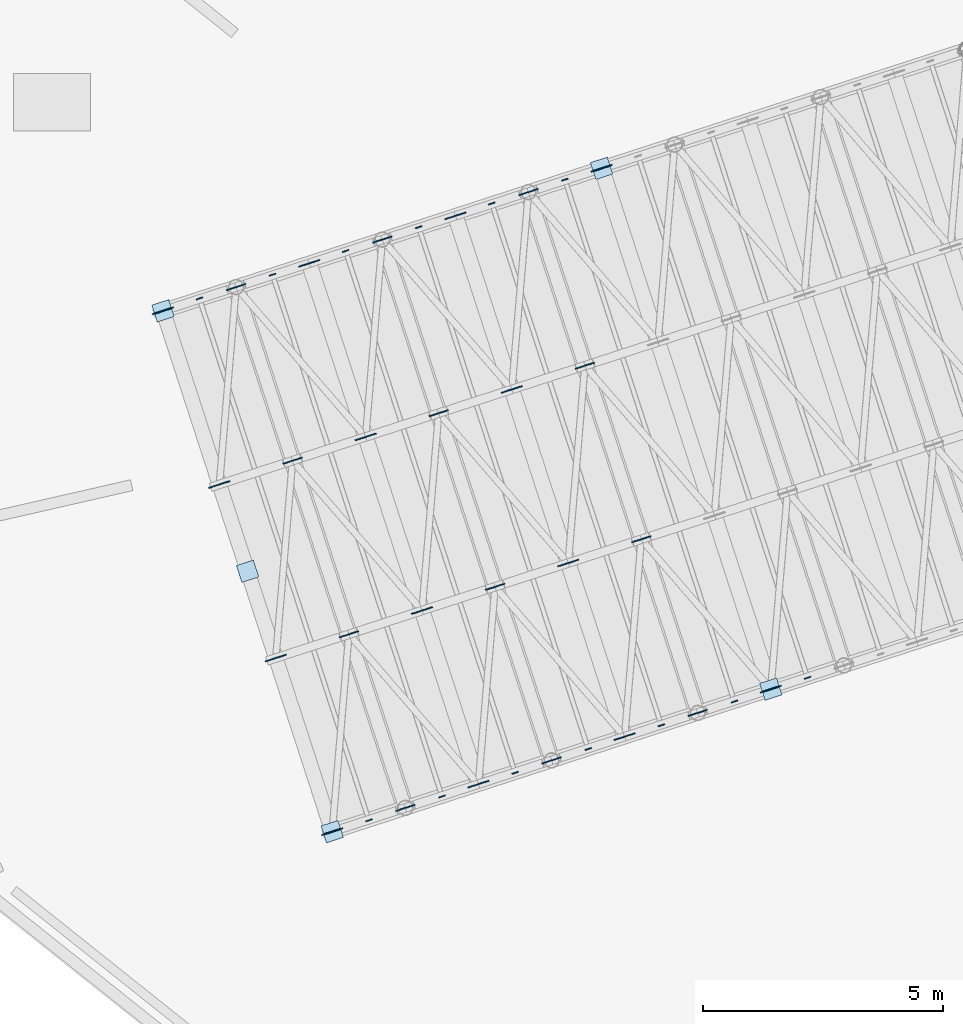
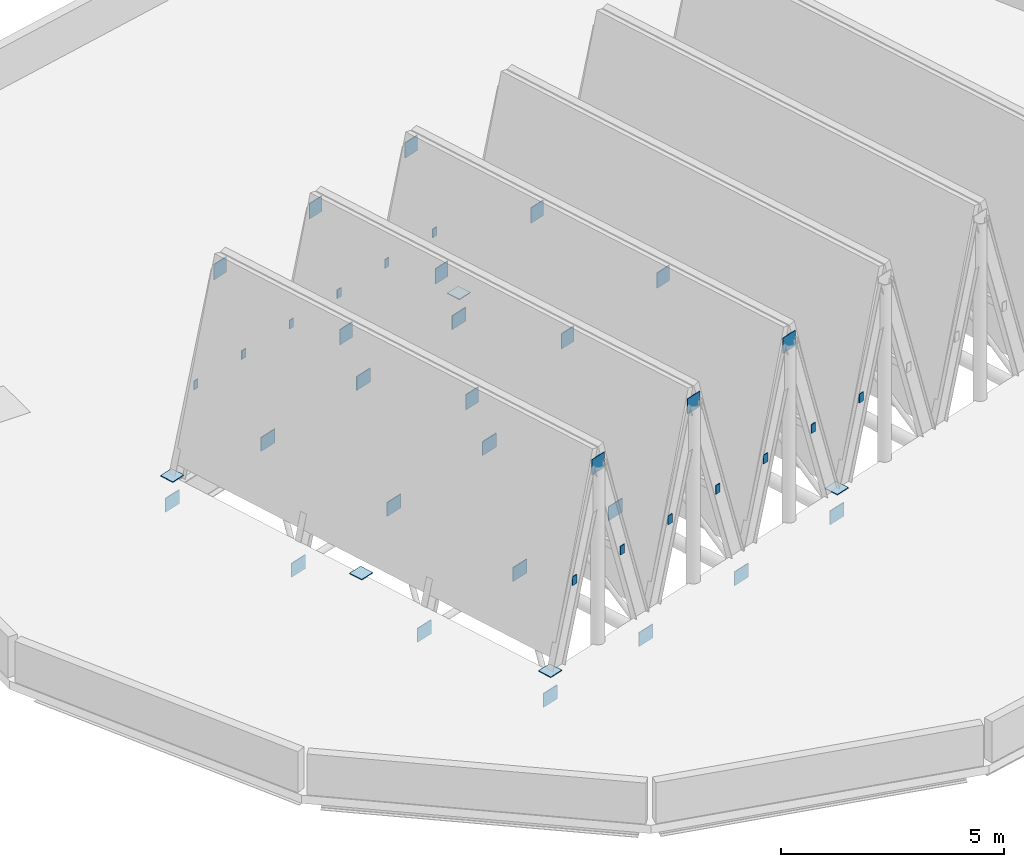
# One storey, part 22 of 51: 44 plates.
"""IFC4 building model written with IfcOpenShell, lengths in metres."""

from ifc_helpers import new_model, si_unit, direction, frame, origin, origin_2d, place, context, subcontext, project, spatial, rectangle, extrude, material, layer, layer_set, type_object, element, save


model = new_model("IFC4")

# Units and contexts
model_context = context("Model", 3, precision=1e-05, world=origin(), true_north=direction((0.0, 1.0)))
body_context = subcontext(model_context, "Body", "Model", "MODEL_VIEW")
ifc_project = project(units=[si_unit("LENGTHUNIT", "METRE"), si_unit("AREAUNIT", "SQUARE_METRE"), si_unit("VOLUMEUNIT", "CUBIC_METRE"), si_unit("PLANEANGLEUNIT", "RADIAN"), si_unit("MASSUNIT", "GRAM", prefix="KILO")], contexts=[model_context])

# Site, building, storey
site_placement = place(None, origin())
site = spatial("IfcSite", under=ifc_project, at=site_placement, CompositionType="ELEMENT")
building_placement = place(site_placement, origin())
building = spatial("IfcBuilding", under=site, at=building_placement, Name="Wrenclough Park School", CompositionType="ELEMENT")
storey_placement = place(building_placement, frame((0.0, 0.0, 16.800048828125)))
storey = spatial("IfcBuildingStorey", under=building, at=storey_placement, Name="L04", CompositionType="ELEMENT", Elevation=16.800048828125)

# Plates
ifc_material = material(Name="Structural steel S355", Category="steel")
ifc_layer_1 = layer(ifc_material, 0.239990234375)
ifc_layer_set_1 = layer_set([ifc_layer_1], Name="Structural steel S355")
plate_type_1 = type_object("IfcPlateType", Name="STR-PL-EP200", PredefinedType="SHEET", material=ifc_layer_set_1)
for number, where, z_axis, x_axis, name in (
    (1, (30.595458984375, 14.049072265625, 1.96728515625), (0.0, 0.0, 1.0), (-0.309016994375, 0.951056516295, 0.0), "D2 purlin 1L S welded sealing end-cap plate"),
    (2, (27.06591796875, 24.912109375, 1.96728515625), (0.0, 0.0, 1.0), (-0.309016994375, 0.951056516295, 0.0), "D2 purlin 1L N welded sealing end-cap plate"),
    (3, (32.1171875, 14.543701171875, 1.96728515625), (0.0, 0.0, 1.0), (-0.309016994375, 0.951056516295, 0.0), "D2 purlin 1R S welded sealing end-cap plate"),
    (4, (28.587646484375, 25.406494140625, 1.96728515625), (0.0, 0.0, 1.0), (-0.309016994375, 0.951056516295, 0.0), "D2 purlin 1R N welded sealing end-cap plate"),
    (5, (33.638916015625, 15.0380859375, 1.96728515625), (0.0, 0.0, 1.0), (-0.309016994375, 0.951056516295, 0.0), "D2 purlin 2L S welded sealing end-cap plate"),
    (6, (30.109375, 25.90087890625, 1.96728515625), (0.0, 0.0, 1.0), (-0.309016994375, 0.951056516295, 0.0), "D2 purlin 2L N welded sealing end-cap plate"),
    (7, (35.16064453125, 15.532470703125, 1.96728515625), (0.0, 0.0, 1.0), (-0.309016994375, 0.951056516295, 0.0), "D2 purlin 2R S welded sealing end-cap plate"),
    (8, (31.631103515625, 26.3955078125, 1.96728515625), (0.0, 0.0, 1.0), (-0.309016994375, 0.951056516295, 0.0), "D2 purlin 2R N welded sealing end-cap plate"),
    (9, (36.682373046875, 16.02685546875, 1.96728515625), (0.0, 0.0, 1.0), (-0.309016994375, 0.951056516295, 0.0), "D2 purlin 3L S welded sealing end-cap plate"),
    (10, (33.152587890625, 26.889892578125, 1.96728515625), (0.0, 0.0, 1.0), (-0.309016994375, 0.951056516295, 0.0), "D2 purlin 3L N welded sealing end-cap plate"),
    (11, (38.2041015625, 16.521240234375, 1.96728515625), (0.0, 0.0, 1.0), (-0.309016994375, 0.951056516295, 0.0), "D2 purlin 3R S welded sealing end-cap plate"),
    (12, (34.67431640625, 27.38427734375, 1.96728515625), (0.0, 0.0, 1.0), (-0.309016994375, 0.951056516295, 0.0), "D2 purlin 3R N welded sealing end-cap plate"),
    (13, (39.7255859375, 17.015625, 1.96728515625), (0.0, 0.0, 1.0), (-0.309016994375, 0.951056516295, 0.0), "D2 purlin 4L S welded sealing end-cap plate"),
):
    element("IfcPlate", number, at=place(storey_placement, frame(where, z_axis=z_axis, x_axis=x_axis)), inside=storey, type_object=plate_type_1, Name=name, PredefinedType="SHEET", context=body_context, shape_type="SweptSolid", body=[
        extrude(rectangle(XDim=0.02197265625, YDim=0.139892578125, at=origin_2d()), origin(), (0.0, 0.0, 1.0), 0.239990234375),
    ])
ifc_layer_2 = layer(ifc_material, 0.02197265625)
ifc_layer_set_2 = layer_set([ifc_layer_2], Name="Structural steel S355")
plate_type_2 = type_object("IfcPlateType", Name="STR-PL-EP324", PredefinedType="SHEET", material=ifc_layer_set_2)
for number, where, z_axis, x_axis, name in (
    (14, (29.831298828125, 13.8125, 0.0), (0.0, 0.0, 1.0), (0.951056516295, 0.309016994375, 0.0), "Hollow steel column top sealing cap plate D2HR-0-0"),
    (15, (28.06982421875, 19.2333984375, 0.0), (0.0, 0.0, 1.0), (0.951056516295, 0.309016994375, 0.0), "Hollow steel column top sealing cap plate D2HR-0-1"),
    (16, (26.30859375, 24.654541015625, 0.0), (0.0, 0.0, 1.0), (0.951056516295, 0.309016994375, 0.0), "Hollow steel column top sealing cap plate D2HR-0-2"),
    (17, (38.96142578125, 16.779052734375, 0.0), (0.0, 0.0, 1.0), (0.951056516295, 0.309016994375, 0.0), "Hollow steel column top sealing cap plate D2HR-1-0"),
    (18, (35.438720703125, 27.62109375, 0.0), (0.0, 0.0, 1.0), (0.951056516295, 0.309016994375, 0.0), "Hollow steel column top sealing cap plate D2HR-1-2"),
):
    element("IfcPlate", number, at=place(storey_placement, frame(where, z_axis=z_axis, x_axis=x_axis)), inside=storey, type_object=plate_type_2, Name=name, PredefinedType="SHEET", context=body_context, shape_type="SweptSolid", body=[
        extrude(rectangle(XDim=0.3701171875, YDim=0.3701171875, at=origin_2d()), origin(), (0.0, 0.0, 1.0), 0.02197265625),
    ])
ifc_layer_3 = layer(ifc_material, 0.02197265625)
ifc_layer_set_3 = layer_set([ifc_layer_3], Name="Structural steel S355")
plate_type_3 = type_object("IfcPlateType", Name="STR-PL-KN6", PredefinedType="USERDEFINED", material=ifc_layer_set_3)
for number, where, z_axis, x_axis, name in (
    (19, (31.352783203125, 14.306884765625, 4.64501953125), (0.0, 0.0, 1.0), (0.951056516295, 0.309016994375, 0.0), "D2 ridge apex gusset plate 1.1"),
    (20, (30.1787109375, 17.9208984375, 4.64501953125), (0.0, 0.0, 1.0), (0.951056516295, 0.309016994375, 0.0), "D2 ridge apex gusset plate 1.2"),
    (21, (29.00439453125, 21.534912109375, 4.64501953125), (0.0, 0.0, 1.0), (0.951056516295, 0.309016994375, 0.0), "D2 ridge apex gusset plate 1.3"),
    (22, (27.830078125, 25.14892578125, 4.64501953125), (0.0, 0.0, 1.0), (0.951056516295, 0.309016994375, 0.0), "D2 ridge apex gusset plate 1.4"),
    (23, (34.396240234375, 15.295654296875, 4.64501953125), (0.0, 0.0, 1.0), (0.951056516295, 0.309016994375, 0.0), "D2 ridge apex gusset plate 2.1"),
    (24, (33.22216796875, 18.90966796875, 4.64501953125), (0.0, 0.0, 1.0), (0.951056516295, 0.309016994375, 0.0), "D2 ridge apex gusset plate 2.2"),
    (25, (32.0478515625, 22.523681640625, 4.64501953125), (0.0, 0.0, 1.0), (0.951056516295, 0.309016994375, 0.0), "D2 ridge apex gusset plate 2.3"),
    (26, (30.87353515625, 26.1376953125, 4.64501953125), (0.0, 0.0, 1.0), (0.951056516295, 0.309016994375, 0.0), "D2 ridge apex gusset plate 2.4"),
    (27, (37.439697265625, 16.28466796875, 4.64501953125), (0.0, 0.0, 1.0), (0.951056516295, 0.309016994375, 0.0), "D2 ridge apex gusset plate 3.1"),
    (28, (36.265380859375, 19.898681640625, 4.64501953125), (0.0, 0.0, 1.0), (0.951056516295, 0.309016994375, 0.0), "D2 ridge apex gusset plate 3.2"),
    (29, (35.09130859375, 23.5126953125, 4.64501953125), (0.0, 0.0, 1.0), (0.951056516295, 0.309016994375, 0.0), "D2 ridge apex gusset plate 3.3"),
    (30, (33.9169921875, 27.126708984375, 4.64501953125), (0.0, 0.0, 1.0), (0.951056516295, 0.309016994375, 0.0), "D2 ridge apex gusset plate 3.4"),
):
    element("IfcPlate", number, at=place(storey_placement, frame(where, z_axis=z_axis, x_axis=x_axis)), inside=storey, type_object=plate_type_3, Name=name, ObjectType="GUSSET PLATE", PredefinedType="USERDEFINED", context=body_context, shape_type="SweptSolid", body=[
        extrude(rectangle(XDim=0.419921875, YDim=0.02197265625, at=origin_2d()), origin(), (0.0, 0.0, 1.0), 0.419921875),
    ])
ifc_layer_4 = layer(ifc_material, 0.02197265625)
ifc_layer_set_4 = layer_set([ifc_layer_4], Name="Structural steel S355")
plate_type_4 = type_object("IfcPlateType", Name="STR-PL-KN7", PredefinedType="USERDEFINED", material=ifc_layer_set_4)
for number, where, z_axis, x_axis, name in (
    (31, (29.831298828125, 13.8125, -0.8701171875), (0.0, 0.0, 1.0), (0.951056516295, 0.309016994375, 0.0), "D2 valley node gusset plate 1.1"),
    (32, (28.656982421875, 17.426513671875, -0.8701171875), (0.0, 0.0, 1.0), (0.951056516295, 0.309016994375, 0.0), "D2 valley node gusset plate 1.2"),
    (33, (27.482666015625, 21.040283203125, -0.8701171875), (0.0, 0.0, 1.0), (0.951056516295, 0.309016994375, 0.0), "D2 valley node gusset plate 1.3"),
    (34, (26.30859375, 24.654541015625, -0.8701171875), (0.0, 0.0, 1.0), (0.951056516295, 0.309016994375, 0.0), "D2 valley node gusset plate 1.4"),
    (35, (32.87451171875, 14.80126953125, -0.8701171875), (0.0, 0.0, 1.0), (0.951056516295, 0.309016994375, 0.0), "D2 valley node gusset plate 2.1"),
    (36, (31.700439453125, 18.415283203125, -0.8701171875), (0.0, 0.0, 1.0), (0.951056516295, 0.309016994375, 0.0), "D2 valley node gusset plate 2.2"),
    (37, (30.526123046875, 22.029296875, -0.8701171875), (0.0, 0.0, 1.0), (0.951056516295, 0.309016994375, 0.0), "D2 valley node gusset plate 2.3"),
    (38, (29.351806640625, 25.643310546875, -0.8701171875), (0.0, 0.0, 1.0), (0.951056516295, 0.309016994375, 0.0), "D2 valley node gusset plate 2.4"),
    (39, (35.91796875, 15.7900390625, -0.8701171875), (0.0, 0.0, 1.0), (0.951056516295, 0.309016994375, 0.0), "D2 valley node gusset plate 3.1"),
    (40, (34.743896484375, 19.404052734375, -0.8701171875), (0.0, 0.0, 1.0), (0.951056516295, 0.309016994375, 0.0), "D2 valley node gusset plate 3.2"),
    (41, (33.569580078125, 23.018310546875, -0.8701171875), (0.0, 0.0, 1.0), (0.951056516295, 0.309016994375, 0.0), "D2 valley node gusset plate 3.3"),
    (42, (32.395263671875, 26.632080078125, -0.8701171875), (0.0, 0.0, 1.0), (0.951056516295, 0.309016994375, 0.0), "D2 valley node gusset plate 3.4"),
    (43, (38.96142578125, 16.779052734375, -0.8701171875), (0.0, 0.0, 1.0), (0.951056516295, 0.309016994375, 0.0), "D2 valley node gusset plate 4.1"),
    (44, (35.438720703125, 27.62109375, -0.8701171875), (0.0, 0.0, 1.0), (0.951056516295, 0.309016994375, 0.0), "D2 valley node gusset plate 4.4"),
):
    element("IfcPlate", number, at=place(storey_placement, frame(where, z_axis=z_axis, x_axis=x_axis)), inside=storey, type_object=plate_type_4, Name=name, ObjectType="GUSSET PLATE", PredefinedType="USERDEFINED", context=body_context, shape_type="SweptSolid", body=[
        extrude(rectangle(XDim=0.4599609375, YDim=0.02197265625, at=origin_2d()), origin(), (0.0, 0.0, 1.0), 0.3798828125),
    ])

save(model, "model.ifc")
